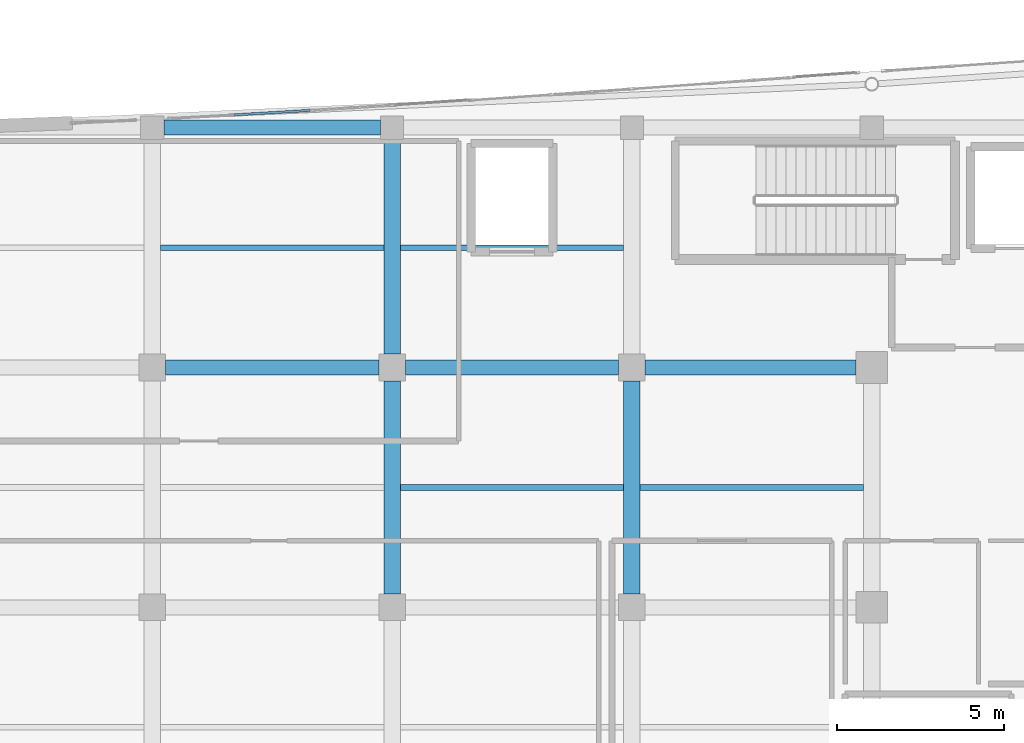
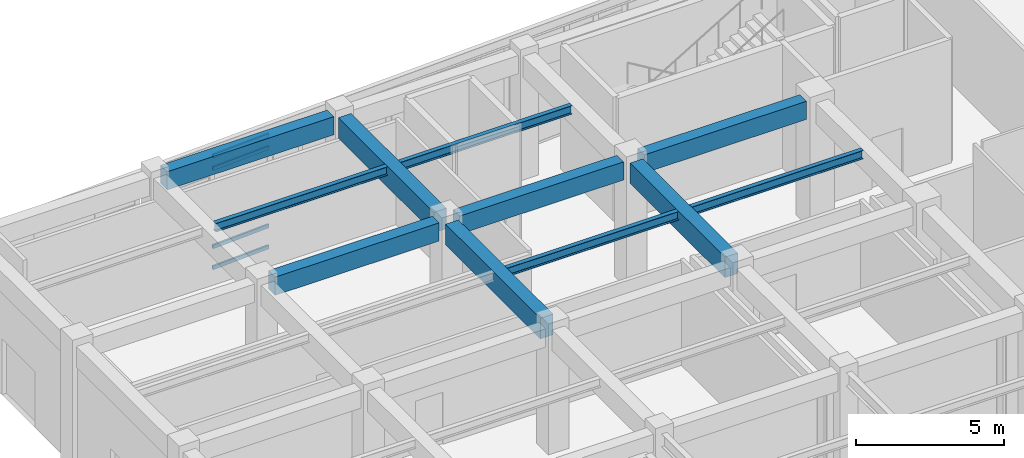
# One storey, part 25 of 102: 11 beams, 4 members, 1 element without a shape of its own.
"""IFC4 building model written with IfcOpenShell, lengths in metres."""

import ifcopenshell
import ifcopenshell.guid

model = None  # the IFC model being written
_history = None  # IfcOwnerHistory: only IFC2X3 demands one
_inside = {}  # id of a spatial element -> (the spatial element, [elements in it])
_under = {}  # id of a project, library or spatial element -> (it, [spatial elements below it])
_declared = {}  # id of a project -> (the project, [libraries it declares])
_typed = {}  # id of a type object -> (the type object, [elements of that type])
_made_of = {}  # id of a material, layer set ... -> (it, [elements and type objects made of it])


def new_model(schema):
    """Start an empty IFC model of exactly this schema.

    Asked for "IFC4X3", IfcOpenShell would pick the latest addendum, in which some entities
    have other attributes; the version numbers below select the first issue.
    IFC2X3 requires an IfcOwnerHistory on every rooted entity: one is made here for all.
    """
    global model, _history
    if schema == "IFC4X3":
        model = ifcopenshell.file(schema_version=(4, 3, 0, 0))
    else:
        model = ifcopenshell.file(schema=schema)
    _inside.clear()
    _under.clear()
    _declared.clear()
    _typed.clear()
    _made_of.clear()
    _history = None
    if model.schema == "IFC2X3":
        org = make("IfcOrganization", Name="unknown")
        user = make(
            "IfcPersonAndOrganization",
            ThePerson=make("IfcPerson", FamilyName="unknown"),
            TheOrganization=org,
        )
        app = make(
            "IfcApplication",
            ApplicationDeveloper=org,
            Version="unknown",
            ApplicationFullName="unknown",
            ApplicationIdentifier="unknown",
        )
        _history = make(
            "IfcOwnerHistory",
            OwningUser=user,
            OwningApplication=app,
            ChangeAction="ADDED",
            CreationDate=0,
        )
    return model


def make(cls, **values):
    """One entity of the class cls with the attributes given. An attribute that is None is left unset."""
    return model.create_entity(
        cls, **{name: value for name, value in values.items() if value is not None}
    )


def rooted(cls, **values):
    """An entity with a GlobalId (a new one), such as an element, a storey or a relation."""
    return make(cls, GlobalId=ifcopenshell.guid.new(), OwnerHistory=_history, **values)


def si_unit(unit_type, name, prefix=None):
    """IfcSIUnit, for example si_unit("LENGTHUNIT", "METRE", prefix="MILLI")."""
    return make("IfcSIUnit", UnitType=unit_type, Prefix=prefix, Name=name)


def assignment(units):
    """IfcUnitAssignment: the units of a project."""
    return None if units is None else make("IfcUnitAssignment", Units=units)


def point(xyz):
    """IfcCartesianPoint."""
    return None if xyz is None else make("IfcCartesianPoint", Coordinates=xyz)


def direction(xyz):
    """IfcDirection."""
    return None if xyz is None else make("IfcDirection", DirectionRatios=xyz)


def frame(location, z_axis=None, x_axis=None):
    """IfcAxis2Placement3D, a coordinate frame: its origin and axes. An axis left out is left unset."""
    return make(
        "IfcAxis2Placement3D",
        Location=point(location),
        Axis=direction(z_axis),
        RefDirection=direction(x_axis),
    )


def frame_2d(location, x_axis=None):
    """IfcAxis2Placement2D, a coordinate frame in the plane: its origin and x axis."""
    return make(
        "IfcAxis2Placement2D", Location=point(location), RefDirection=direction(x_axis)
    )


def origin():
    """The frame at (0, 0, 0) with its axes left unset."""
    return frame((0.0, 0.0, 0.0))


def origin_2d():
    """The frame at (0, 0) in the plane with its x axis left unset."""
    return frame_2d((0.0, 0.0))


def place(relative_to, where):
    """IfcLocalPlacement: puts the frame where relative to a parent placement (None: the world)."""
    return make(
        "IfcLocalPlacement", PlacementRelTo=relative_to, RelativePlacement=where
    )


def context(
    kind, dimensions, precision=None, world=None, true_north=None, identifier=None
):
    """IfcGeometricRepresentationContext, for example the 3D "Model" context."""
    return make(
        "IfcGeometricRepresentationContext",
        ContextIdentifier=identifier,
        ContextType=kind,
        CoordinateSpaceDimension=dimensions,
        Precision=precision,
        WorldCoordinateSystem=world,
        TrueNorth=true_north,
    )


def subcontext(parent, identifier, kind, view, scale=None):
    """IfcGeometricRepresentationSubContext, for example "Body" below "Model"."""
    return make(
        "IfcGeometricRepresentationSubContext",
        ContextIdentifier=identifier,
        ContextType=kind,
        ParentContext=parent,
        TargetScale=scale,
        TargetView=view,
    )


def project(units=None, contexts=None):
    """IfcProject with its units and contexts."""
    return rooted(
        "IfcProject",
        Name="project",
        RepresentationContexts=contexts,
        UnitsInContext=assignment(units),
    )


def spatial(cls, under=None, at=None, **own):
    """A site, building, storey or space (cls), placed at a placement, below another one or the project."""
    s = rooted(cls, ObjectPlacement=at, **own)
    if under is not None:
        _under.setdefault(under.id(), (under, []))[1].append(s)
    return s


def profile(cls, at=None, kind="AREA", **sizes):
    """A parametric profile (cls). Its sizes go by their IFC names, for example OverallWidth=200.0."""
    return make(cls, ProfileType=kind, Position=at, **sizes)


def rectangle(**sizes):
    """IfcRectangleProfileDef."""
    return profile("IfcRectangleProfileDef", **sizes)


def hollow_rectangle(**sizes):
    """IfcRectangleHollowProfileDef."""
    return profile("IfcRectangleHollowProfileDef", **sizes)


def i_section(**sizes):
    """IfcIShapeProfileDef."""
    return profile("IfcIShapeProfileDef", **sizes)


def extrude(swept, where, along, depth):
    """IfcExtrudedAreaSolid: the profile swept, set in the frame where, extruded along a direction by depth."""
    return make(
        "IfcExtrudedAreaSolid",
        SweptArea=swept,
        Position=where,
        ExtrudedDirection=direction(along),
        Depth=depth,
    )


def shape(context_of_items, identifier, shape_type, items):
    """IfcShapeRepresentation: the items that make up one representation, for example the "Body"."""
    return make(
        "IfcShapeRepresentation",
        ContextOfItems=context_of_items,
        RepresentationIdentifier=identifier,
        RepresentationType=shape_type,
        Items=items,
    )


def material(Name=None, Category=None):
    """IfcMaterial."""
    return make("IfcMaterial", Name=Name, Category=Category)


def layer(
    of_material, thickness, ventilated=None, Name=None, Category=None, Priority=None
):
    """IfcMaterialLayer: one layer of a wall or slab, of a material (None: an air gap)."""
    return make(
        "IfcMaterialLayer",
        Material=of_material,
        LayerThickness=thickness,
        IsVentilated=ventilated,
        Name=Name,
        Category=Category,
        Priority=Priority,
    )


def layer_set(layers, Name=None):
    """IfcMaterialLayerSet."""
    return make("IfcMaterialLayerSet", MaterialLayers=layers, LayerSetName=Name)


def material_profile(
    of_material, cross_section, Name=None, Category=None, Priority=None
):
    """IfcMaterialProfile: a cross section and its material."""
    return make(
        "IfcMaterialProfile",
        Name=Name,
        Material=of_material,
        Profile=cross_section,
        Priority=Priority,
        Category=Category,
    )


def profile_set(profiles, Name=None, composite=None):
    """IfcMaterialProfileSet."""
    return make(
        "IfcMaterialProfileSet",
        Name=Name,
        MaterialProfiles=profiles,
        CompositeProfile=composite,
    )


def made_of(thing, what):
    """Note that an element or type object is made of a material, layer set ...; save() writes the relation."""
    if what is not None:
        _made_of.setdefault(what.id(), (what, []))[1].append(thing)
    return thing


def type_object(cls, material=None, **own):
    """A type object (cls), such as IfcWallType, which elements share."""
    return made_of(rooted(cls, **own), material)


def element(
    cls,
    number,
    at=None,
    inside=None,
    cuts=None,
    type_object=None,
    material=None,
    context=None,
    identifier="Body",
    shape_type=None,
    held_by="IfcProductDefinitionShape",
    body=None,
    shapes=None,
    **own,
):
    """One element of the class cls, such as IfcWall. Its Tag is "e" and its number.

    at: its placement. inside: the storey or other place that contains it. cuts: it is an
    opening in that element (IfcRelVoidsElement). A single representation is given by context,
    identifier, shape_type and body (its items); several are given by shapes. held_by: the class
    of the entity that holds the representations. save() writes the other relations.
    """
    e = rooted(cls, Tag="e%d" % number, ObjectPlacement=at, **own)
    if body is not None:
        shapes = [shape(context, identifier, shape_type, body)]
    if shapes is not None:
        e.Representation = make(held_by, Representations=shapes)
    if inside is not None:
        _inside.setdefault(inside.id(), (inside, []))[1].append(e)
    if cuts is not None:
        rooted(
            "IfcRelVoidsElement", RelatingBuildingElement=cuts, RelatedOpeningElement=e
        )
    if type_object is not None:
        _typed.setdefault(type_object.id(), (type_object, []))[1].append(e)
    return made_of(e, material)


def aggregate(whole, parts):
    """IfcRelAggregates: a whole, such as a stair, and the parts it consists of."""
    return rooted("IfcRelAggregates", RelatingObject=whole, RelatedObjects=parts)


def save(model, path):
    """Write the relations noted so far, then the file.

    IfcRelAggregates (storeys below a building ...), IfcRelContainedInSpatialStructure (elements
    in a storey), IfcRelDefinesByType, IfcRelAssociatesMaterial and IfcRelDeclares: one each for
    every whole, place, type object, material and project.
    """
    for whole, parts in _under.values():
        aggregate(whole, parts)
    for where, things in _inside.values():
        rooted(
            "IfcRelContainedInSpatialStructure",
            RelatedElements=things,
            RelatingStructure=where,
        )
    for kind, things in _typed.values():
        rooted("IfcRelDefinesByType", RelatedObjects=things, RelatingType=kind)
    for what, things in _made_of.values():
        rooted("IfcRelAssociatesMaterial", RelatedObjects=things, RelatingMaterial=what)
    for by, libraries in _declared.values():
        rooted("IfcRelDeclares", RelatingContext=by, RelatedDefinitions=libraries)
    model.write(path)


model = new_model("IFC4")

# Units and contexts
model_context = context("Model", 3, precision=1e-05, world=origin(), true_north=direction((0.0, 1.0)))
body_context = subcontext(model_context, "Body", "Model", "MODEL_VIEW")
ifc_project = project(units=[si_unit("LENGTHUNIT", "METRE"), si_unit("AREAUNIT", "SQUARE_METRE"), si_unit("VOLUMEUNIT", "CUBIC_METRE"), si_unit("PLANEANGLEUNIT", "RADIAN"), si_unit("MASSUNIT", "GRAM", prefix="KILO")], contexts=[model_context])

# Site, building, storey
site_placement = place(None, origin())
site = spatial("IfcSite", under=ifc_project, at=site_placement, CompositionType="ELEMENT")
building_placement = place(site_placement, origin())
building = spatial("IfcBuilding", under=site, at=building_placement, Name="Carrowvane Square Congress Hotel", CompositionType="ELEMENT")
storey_placement = place(building_placement, origin())
storey = spatial("IfcBuildingStorey", under=building, at=storey_placement, Name="L00", CompositionType="ELEMENT", Elevation=0.0)

# Beams
ifc_material_1 = material(Name="Concrete C35/45", Category="concrete")
ifc_material_profile_1 = material_profile(ifc_material_1, rectangle(XDim=0.449951171875, YDim=0.75, at=origin_2d()), Name="RC 450x750")
ifc_profile_set_1 = profile_set([ifc_material_profile_1], Name="Concrete C35/45")
beam_type_1 = type_object("IfcBeamType", Name="BM-RC-450x750", PredefinedType="USERDEFINED", material=ifc_profile_set_1)
for number, where, z_axis, x_axis, name in (
    (1, (40.800048828125, 106.199951171875, 4.72509765625), (1.0, 0.0, 0.0), (0.0, 1.0, 0.0), "L01 girder Q/5-6"),
    (2, (48.0, 106.199951171875, 4.72509765625), (1.0, 0.0, 0.0), (0.0, 1.0, 0.0), "L01 girder Q/6-7"),
):
    element("IfcBeam", number, at=place(storey_placement, frame(where, z_axis=z_axis, x_axis=x_axis)), inside=storey, type_object=beam_type_1, Name=name, ObjectType="GIRDER", PredefinedType="USERDEFINED", context=body_context, shape_type="SweptSolid", body=[
        extrude(rectangle(XDim=0.449951171875, YDim=0.75, at=origin_2d()), origin(), (0.0, 0.0, 1.0), 6.39990234375),
    ])
beam_1_placement = place(storey_placement, frame((55.199951171875, 106.199951171875, 4.72509765625), z_axis=(1.0, 0.0, 0.0), x_axis=(0.0, 1.0, 0.0)))
element("IfcBeam", 3, at=beam_1_placement, inside=storey, type_object=beam_type_1, Name="L01 girder Q/7-8", ObjectType="GIRDER", PredefinedType="USERDEFINED", context=body_context, shape_type="SweptSolid", body=[
    extrude(rectangle(XDim=0.449951171875, YDim=0.75, at=origin_2d()), origin(), (0.0, 0.0, 1.0), 6.324951171875),
])
beam_2_placement = place(storey_placement, frame((40.75, 113.39990234375, 4.72509765625), z_axis=(1.0, 0.0, 0.0), x_axis=(0.0, 1.0, 0.0)))
element("IfcBeam", 4, at=beam_2_placement, inside=storey, type_object=beam_type_1, Name="L01 girder R/5-6", ObjectType="GIRDER", PredefinedType="USERDEFINED", context=body_context, shape_type="SweptSolid", body=[
    extrude(rectangle(XDim=0.449951171875, YDim=0.75, at=origin_2d()), origin(), (0.0, 0.0, 1.0), 6.5),
])
ifc_material_2 = material(Name="Concrete C35/45", Category="concrete")
ifc_material_profile_2 = material_profile(ifc_material_2, rectangle(XDim=0.5, YDim=0.85009765625, at=origin_2d()), Name="RC 500x850")
ifc_profile_set_2 = profile_set([ifc_material_profile_2], Name="Concrete C35/45")
beam_type_2 = type_object("IfcBeamType", Name="BM-RC-500x850", PredefinedType="USERDEFINED", material=ifc_profile_set_2)
beam_3_placement = place(storey_placement, frame((47.60009765625, 99.39990234375, 4.675048828125), z_axis=(0.0, 1.0, 0.0), x_axis=(-1.0, 0.0, 0.0)))
element("IfcBeam", 5, at=beam_3_placement, inside=storey, type_object=beam_type_2, Name="L01 girder 6/P-Q", ObjectType="GIRDER", PredefinedType="USERDEFINED", context=body_context, shape_type="SweptSolid", body=[
    extrude(rectangle(XDim=0.5, YDim=0.85009765625, at=origin_2d()), origin(), (0.0, 0.0, 1.0), 6.400146484375),
])
beam_4_placement = place(storey_placement, frame((47.60009765625, 106.60009765625, 4.675048828125), z_axis=(0.0, 1.0, 0.0), x_axis=(-1.0, 0.0, 0.0)))
element("IfcBeam", 6, at=beam_4_placement, inside=storey, type_object=beam_type_2, Name="L01 girder 6/Q-R", ObjectType="GIRDER", PredefinedType="USERDEFINED", context=body_context, shape_type="SweptSolid", body=[
    extrude(rectangle(XDim=0.5, YDim=0.85009765625, at=origin_2d()), origin(), (0.0, 0.0, 1.0), 6.449951171875),
])
beam_5_placement = place(storey_placement, frame((54.800048828125, 99.39990234375, 4.675048828125), z_axis=(0.0, 1.0, 0.0), x_axis=(-1.0, 0.0, 0.0)))
element("IfcBeam", 7, at=beam_5_placement, inside=storey, type_object=beam_type_2, Name="L01 girder 7/P-Q", ObjectType="GIRDER", PredefinedType="USERDEFINED", context=body_context, shape_type="SweptSolid", body=[
    extrude(rectangle(XDim=0.5, YDim=0.85009765625, at=origin_2d()), origin(), (0.0, 0.0, 1.0), 6.400146484375),
])
ifc_material_3 = material(Name="Steel S355", Category="steel")
ifc_material_profile_3 = material_profile(ifc_material_3, i_section(OverallWidth=0.172119140625, OverallDepth=0.35791015625, WebThickness=0.008056640625, FlangeThickness=0.012939453125, FilletRadius=0.01025390625, at=origin_2d()), Name="UKB 356x171x57")
ifc_profile_set_3 = profile_set([ifc_material_profile_3], Name="Steel S355")
beam_type_3 = type_object("IfcBeamType", Name="BM-ST-UKB356", PredefinedType="JOIST", material=ifc_profile_set_3)
beam_6_placement = place(storey_placement, frame((40.64990234375, 109.800048828125, 4.9208984375), z_axis=(1.0, 0.0, 0.0), x_axis=(0.0, 1.0, 0.0)))
element("IfcBeam", 8, at=beam_6_placement, inside=storey, type_object=beam_type_3, Name="L01 secondary joist 5-6", PredefinedType="JOIST", context=body_context, shape_type="SweptSolid", body=[
    extrude(i_section(OverallWidth=0.172119140625, OverallDepth=0.35791015625, WebThickness=0.008056640625, FlangeThickness=0.012939453125, FilletRadius=0.01025390625, at=origin_2d()), origin(), (0.0, 0.0, 1.0), 6.7001953125),
])
for number, where, z_axis, x_axis, name in (
    (9, (47.85009765625, 102.60009765625, 4.9208984375), (1.0, 0.0, 0.0), (0.0, 1.0, 0.0), "L01 secondary joist 6-7"),
    (10, (47.85009765625, 109.800048828125, 4.9208984375), (1.0, 0.0, 0.0), (0.0, 1.0, 0.0), "L01 secondary joist 6-7"),
    (11, (55.050048828125, 102.60009765625, 4.9208984375), (1.0, 0.0, 0.0), (0.0, 1.0, 0.0), "L01 secondary joist 7-8"),
):
    element("IfcBeam", number, at=place(storey_placement, frame(where, z_axis=z_axis, x_axis=x_axis)), inside=storey, type_object=beam_type_3, Name=name, PredefinedType="JOIST", context=body_context, shape_type="SweptSolid", body=[
        extrude(i_section(OverallWidth=0.172119140625, OverallDepth=0.35791015625, WebThickness=0.008056640625, FlangeThickness=0.012939453125, FilletRadius=0.01025390625, at=origin_2d()), origin(), (0.0, 0.0, 1.0), 6.699951171875),
    ])

# Curtain wall, members
ifc_material_4 = material(Name="Anodised aluminium", Category="aluminium")
ifc_layer = layer(ifc_material_4, 0.197998046875)
ifc_layer_set = layer_set([ifc_layer], Name="Anodised aluminium")
curtain_wall_type = type_object("IfcCurtainWallType", Name="CW-SYS-4", PredefinedType="NOTDEFINED", material=ifc_layer_set)
curtain_wall_placement = place(storey_placement, origin())
curtain_wall = element("IfcCurtainWall", 12, at=curtain_wall_placement, inside=storey, type_object=curtain_wall_type, Name="L00 unitised curtain wall 3", PredefinedType="NOTDEFINED")
ifc_material_5 = material(Name="Anodised aluminium", Category="aluminium")
ifc_material_profile_4 = material_profile(ifc_material_5, hollow_rectangle(XDim=0.070068359375, YDim=0.14990234375, WallThickness=0.0048828125, at=origin_2d()), Name="CW-TR 70x150x5")
ifc_profile_set_4 = profile_set([ifc_material_profile_4], Name="Anodised aluminium")
member_type = type_object("IfcMemberType", Name="CW-TRN-2", PredefinedType="USERDEFINED", material=ifc_profile_set_4)
member_1_placement = place(storey_placement, frame((42.869873046875, 113.785400390625, 0.034912109375), z_axis=(0.998259095079, 0.058981175741, 0.0), x_axis=(-0.058981175741, 0.998259095079, 0.0)))
member_1 = element("IfcMember", 13, at=member_1_placement, type_object=member_type, Name="CW-4 transom 1.1", ObjectType="TRANSOM", PredefinedType="USERDEFINED", context=body_context, shape_type="SweptSolid", body=[
    extrude(hollow_rectangle(XDim=0.070068359375, YDim=0.14990234375, WallThickness=0.0048828125, at=origin_2d()), origin(), (0.0, 0.0, 1.0), 2.26416015625),
])
member_2_placement = place(storey_placement, frame((42.869873046875, 113.785400390625, 0.89990234375), z_axis=(0.998259095079, 0.058981175741, 0.0), x_axis=(-0.058981175741, 0.998259095079, 0.0)))
member_2 = element("IfcMember", 14, at=member_2_placement, type_object=member_type, Name="CW-4 transom 1.2", ObjectType="TRANSOM", PredefinedType="USERDEFINED", context=body_context, shape_type="SweptSolid", body=[
    extrude(hollow_rectangle(XDim=0.070068359375, YDim=0.14990234375, WallThickness=0.0048828125, at=origin_2d()), origin(), (0.0, 0.0, 1.0), 2.26416015625),
])
member_3_placement = place(storey_placement, frame((42.869873046875, 113.785400390625, 4.12548828125), z_axis=(0.998259095079, 0.058981175741, 0.0), x_axis=(-0.058981175741, 0.998259095079, 0.0)))
member_3 = element("IfcMember", 15, at=member_3_placement, type_object=member_type, Name="CW-4 transom 1.3", ObjectType="TRANSOM", PredefinedType="USERDEFINED", context=body_context, shape_type="SweptSolid", body=[
    extrude(hollow_rectangle(XDim=0.070068359375, YDim=0.14990234375, WallThickness=0.0048828125, at=origin_2d()), origin(), (0.0, 0.0, 1.0), 2.26416015625),
])
member_4_placement = place(storey_placement, frame((42.869873046875, 113.785400390625, 4.640625), z_axis=(0.998259095079, 0.058981175741, 0.0), x_axis=(-0.058981175741, 0.998259095079, 0.0)))
member_4 = element("IfcMember", 16, at=member_4_placement, type_object=member_type, Name="CW-4 transom 1.4", ObjectType="TRANSOM", PredefinedType="USERDEFINED", context=body_context, shape_type="SweptSolid", body=[
    extrude(hollow_rectangle(XDim=0.070068359375, YDim=0.14990234375, WallThickness=0.0048828125, at=origin_2d()), origin(), (0.0, 0.0, 1.0), 2.26416015625),
])
aggregate(curtain_wall, [member_1, member_2, member_3, member_4])

save(model, "model.ifc")
